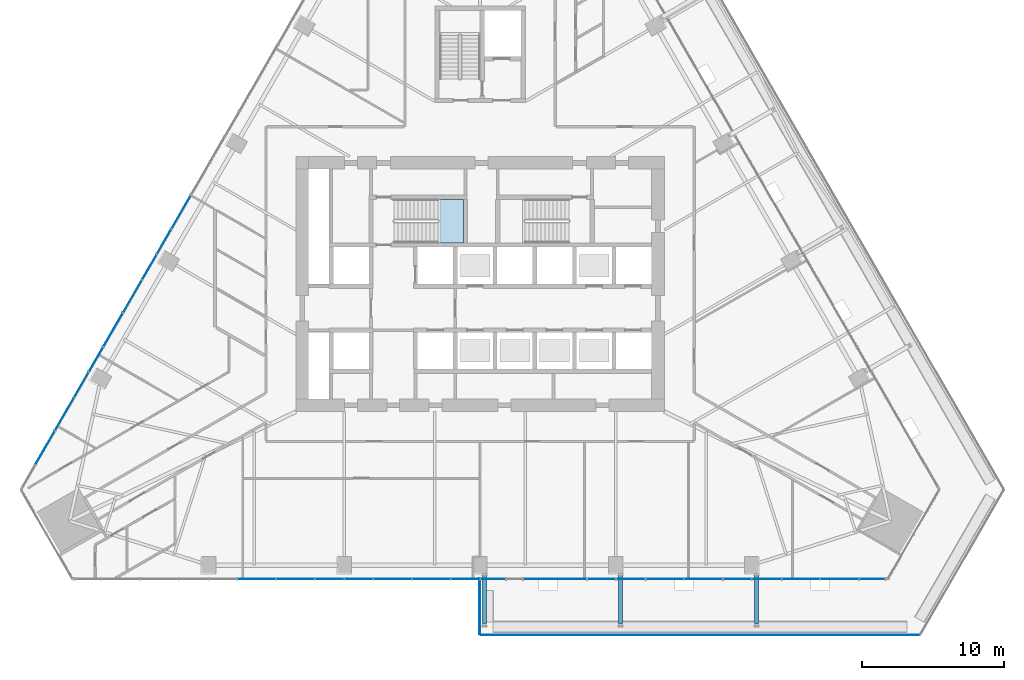
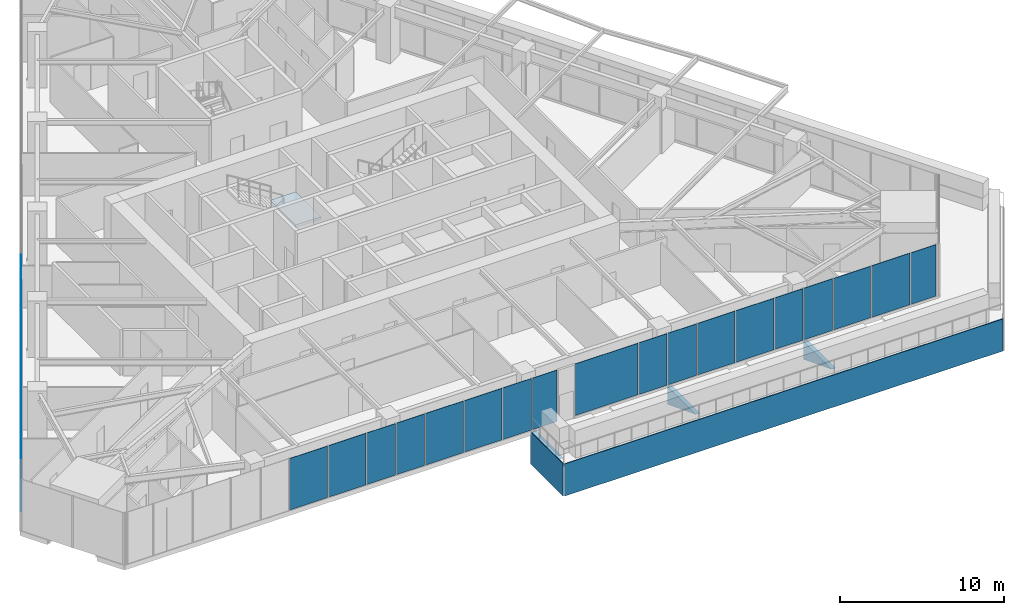
# One storey, part 14 of 29: 32 plates, 1 slab, 3 elements without a shape of their own.
"""IFC4 building model written with IfcOpenShell, lengths in metres."""

from ifc_helpers import new_model, si_unit, direction, frame, origin, place, context, subcontext, project, spatial, polyline, outline, extrude, material, layer, layer_set, type_object, element, aggregate, save


model = new_model("IFC4")

# Units and contexts
model_context = context("Model", 3, precision=1e-05, world=origin(), true_north=direction((0.0, 1.0)))
body_context = subcontext(model_context, "Body", "Model", "MODEL_VIEW")
ifc_project = project(units=[si_unit("LENGTHUNIT", "METRE"), si_unit("AREAUNIT", "SQUARE_METRE"), si_unit("VOLUMEUNIT", "CUBIC_METRE"), si_unit("PLANEANGLEUNIT", "RADIAN"), si_unit("MASSUNIT", "GRAM", prefix="KILO")], contexts=[model_context])

# Site, building, storey
site_placement = place(None, origin())
site = spatial("IfcSite", under=ifc_project, at=site_placement, CompositionType="ELEMENT")
building_placement = place(site_placement, origin())
building = spatial("IfcBuilding", under=site, at=building_placement, Name="Firuza Gate Tower and Library", CompositionType="ELEMENT")
storey_placement = place(building_placement, frame((0.0, 0.0, 48.39990234375)))
storey = spatial("IfcBuildingStorey", under=building, at=storey_placement, Name="L10", CompositionType="ELEMENT", Elevation=48.39990234375)

# Curtain wall, plates
ifc_material_1 = material(Name="Aluminium 6063-T6", Category="aluminium")
ifc_layer_1 = layer(ifc_material_1, 0.14990234375)
ifc_layer_set_1 = layer_set([ifc_layer_1], Name="Unitised curtain wall, offices")
curtain_wall_type = type_object("IfcCurtainWallType", Name="Unitised curtain wall, offices", PredefinedType="NOTDEFINED", material=ifc_layer_set_1)
placement = place(storey_placement, origin())
curtain_wall_1 = element("IfcCurtainWall", 1, at=placement, inside=storey, type_object=curtain_wall_type, Name="CW1 L10 S face", PredefinedType="NOTDEFINED")
ifc_material_2 = material(Name="Fritted glass", Category="glass")
ifc_layer_2 = layer(ifc_material_2, 0.030029296875)
ifc_layer_set_2 = layer_set([ifc_layer_2], Name="Fritted glass unit, offices")
plate_type_1 = type_object("IfcPlateType", Name="Fritted glass unit, offices", PredefinedType="CURTAIN_PANEL", material=ifc_layer_set_2)
plate_1_placement = place(storey_placement, frame((63.373779296875, 54.18212890625, 0.150146484375), z_axis=(0.0, -1.0, 0.0), x_axis=(1.0, 0.0, 0.0)))
plate_1 = element("IfcPlate", 2, at=plate_1_placement, type_object=plate_type_1, Name="Glass unit", PredefinedType="CURTAIN_PANEL", context=body_context, shape_type="SweptSolid", body=[
    extrude(outline(polyline([(0.0, 0.0), (2.004638671875, 0.0), (2.004638671875, 3.849853515625), (0.0, 3.849853515625), (0.0, 0.0)])), origin(), (0.0, 0.0, -1.0), 0.030029296875),
])
plate_2_placement = place(storey_placement, frame((65.458251953125, 54.18212890625, 0.150146484375), z_axis=(0.0, -1.0, 0.0), x_axis=(1.0, 0.0, 0.0)))
plate_2 = element("IfcPlate", 3, at=plate_2_placement, type_object=plate_type_1, Name="Glass unit", PredefinedType="CURTAIN_PANEL", context=body_context, shape_type="SweptSolid", body=[
    extrude(outline(polyline([(0.0, 0.0), (1.968017578125, 0.0), (1.968017578125, 3.849853515625), (0.0, 3.849853515625), (0.0, 0.0)])), origin(), (0.0, 0.0, -1.0), 0.030029296875),
])
plate_3_placement = place(storey_placement, frame((72.973876953125, 54.18212890625, 0.150146484375), z_axis=(0.0, -1.0, 0.0), x_axis=(1.0, 0.0, 0.0)))
plate_3 = element("IfcPlate", 4, at=plate_3_placement, type_object=plate_type_1, Name="Glass unit", PredefinedType="CURTAIN_PANEL", context=body_context, shape_type="SweptSolid", body=[
    extrude(outline(polyline([(0.0, 0.0), (1.986083984375, 0.0), (1.986083984375, 3.849853515625), (0.0, 3.849853515625), (0.0, 0.0)])), origin(), (0.0, 0.0, -1.0), 0.030029296875),
])
plate_4_placement = place(storey_placement, frame((75.0400390625, 54.18212890625, 0.150146484375), z_axis=(0.0, -1.0, 0.0), x_axis=(1.0, 0.0, 0.0)))
plate_4 = element("IfcPlate", 5, at=plate_4_placement, type_object=plate_type_1, Name="Glass unit", PredefinedType="CURTAIN_PANEL", context=body_context, shape_type="SweptSolid", body=[
    extrude(outline(polyline([(0.0, 0.0), (1.739990234375, 0.0), (1.739990234375, 3.849853515625), (0.0, 3.849853515625), (0.0, 0.0)])), origin(), (0.0, 0.0, -1.0), 0.030029296875),
])
plate_5_placement = place(storey_placement, frame((82.57373046875, 54.18212890625, 0.150146484375), z_axis=(0.0, -1.0, 0.0), x_axis=(1.0, 0.0, 0.0)))
plate_5 = element("IfcPlate", 6, at=plate_5_placement, type_object=plate_type_1, Name="Glass unit", PredefinedType="CURTAIN_PANEL", context=body_context, shape_type="SweptSolid", body=[
    extrude(outline(polyline([(0.0, 0.0), (1.968017578125, 0.0), (1.968017578125, 3.849853515625), (0.0, 3.849853515625), (0.0, 0.0)])), origin(), (0.0, 0.0, -1.0), 0.030029296875),
])
plate_6_placement = place(storey_placement, frame((84.62158203125, 54.18212890625, 0.150146484375), z_axis=(0.0, -1.0, 0.0), x_axis=(1.0, 0.0, 0.0)))
plate_6 = element("IfcPlate", 7, at=plate_6_placement, type_object=plate_type_1, Name="Glass unit", PredefinedType="CURTAIN_PANEL", context=body_context, shape_type="SweptSolid", body=[
    extrude(outline(polyline([(0.0, 0.0), (2.004638671875, 0.0), (2.004638671875, 3.849853515625), (0.0, 3.849853515625), (0.0, 0.0)])), origin(), (0.0, 0.0, -1.0), 0.030029296875),
])
plate_7_placement = place(storey_placement, frame((92.173828125, 54.18212890625, 0.150146484375), z_axis=(0.0, -1.0, 0.0), x_axis=(1.0, 0.0, 0.0)))
plate_7 = element("IfcPlate", 8, at=plate_7_placement, type_object=plate_type_1, Name="Glass unit", PredefinedType="CURTAIN_PANEL", context=body_context, shape_type="SweptSolid", body=[
    extrude(outline(polyline([(0.0, 0.0), (1.949462890625, 0.0), (1.949462890625, 3.849853515625), (0.0, 3.849853515625), (0.0, 0.0)])), origin(), (0.0, 0.0, -1.0), 0.030029296875),
])
plate_8_placement = place(storey_placement, frame((94.203369140625, 54.18212890625, 0.150146484375), z_axis=(0.0, -1.0, 0.0), x_axis=(1.0, 0.0, 0.0)))
plate_8 = element("IfcPlate", 9, at=plate_8_placement, type_object=plate_type_1, Name="Glass unit", PredefinedType="CURTAIN_PANEL", context=body_context, shape_type="SweptSolid", body=[
    extrude(outline(polyline([(0.0, 0.0), (2.022705078125, 0.0), (2.022705078125, 3.849853515625), (0.0, 3.849853515625), (0.0, 0.0)])), origin(), (0.0, 0.0, -1.0), 0.030029296875),
])
plate_9_placement = place(storey_placement, frame((101.77392578125, 54.18212890625, 0.150146484375), z_axis=(0.0, -1.0, 0.0), x_axis=(1.0, 0.0, 0.0)))
plate_9 = element("IfcPlate", 10, at=plate_9_placement, type_object=plate_type_1, Name="Glass unit", PredefinedType="CURTAIN_PANEL", context=body_context, shape_type="SweptSolid", body=[
    extrude(outline(polyline([(0.0, 0.0), (1.76318359375, 0.0), (1.76318359375, 3.849853515625), (0.0, 3.849853515625), (0.0, 0.0)])), origin(), (0.0, 0.0, -1.0), 0.030029296875),
])

curtain_wall_2 = element("IfcCurtainWall", 11, at=placement, inside=storey, type_object=curtain_wall_type, Name="CW1 L10 W face", PredefinedType="NOTDEFINED")
plate_10_placement = place(storey_placement, frame((53.184326171875, 78.849853515625, 0.150146484375), z_axis=(-0.866051307416, 0.49995513091, 0.0), x_axis=(-0.49995513091, -0.866051307416, 0.0)))
plate_10 = element("IfcPlate", 12, at=plate_10_placement, type_object=plate_type_1, Name="Glass unit", PredefinedType="CURTAIN_PANEL", context=body_context, shape_type="SweptSolid", body=[
    extrude(outline(polyline([(0.0, 0.0), (1.9679500377533197, 0.0), (1.9679500377533197, 3.849853515625), (0.0, 3.849853515625), (0.0, 0.0)])), origin(), (0.0, 0.0, -1.0), 0.030029296875),
])
plate_11_placement = place(storey_placement, frame((52.160400390625, 77.076416015625, 0.150146484375), z_axis=(-0.866053762422, 0.499950878181, 0.0), x_axis=(-0.499950878181, -0.866053762422, 0.0)))
plate_11 = element("IfcPlate", 13, at=plate_11_placement, type_object=plate_type_1, Name="Glass unit", PredefinedType="CURTAIN_PANEL", context=body_context, shape_type="SweptSolid", body=[
    extrude(outline(polyline([(0.0, 0.0), (2.0045914696091076, 0.0), (2.0045914696091076, 3.849853515625001), (0.0, 3.849853515625001), (0.0, 0.0)])), origin(), (0.0, 0.0, -1.0), 0.030029296875),
])
plate_12_placement = place(storey_placement, frame((48.38427734375, 70.535888671875, 0.150146484375), z_axis=(-0.866045854272, 0.499964577043, 0.0), x_axis=(-0.499964577043, -0.866045854272, 0.0)))
plate_12 = element("IfcPlate", 14, at=plate_12_placement, type_object=plate_type_1, Name="Glass unit", PredefinedType="CURTAIN_PANEL", context=body_context, shape_type="SweptSolid", body=[
    extrude(outline(polyline([(0.0, 0.0), (1.9493568539669226, 0.0), (1.9493568539669226, 3.849853515625), (0.0, 3.849853515625), (0.0, 0.0)])), origin(), (0.0, 0.0, -1.0), 0.030029296875),
])
plate_13_placement = place(storey_placement, frame((47.36962890625, 68.7783203125, 0.150146484375), z_axis=(-0.865998653272, 0.500046330384, 0.0), x_axis=(-0.500046330384, -0.865998653272, 0.0)))
plate_13 = element("IfcPlate", 15, at=plate_13_placement, type_object=plate_type_1, Name="Glass unit", PredefinedType="CURTAIN_PANEL", context=body_context, shape_type="SweptSolid", body=[
    extrude(outline(polyline([(0.0, 0.0), (2.0227617880883564, 0.0), (2.0227617880883564, 3.849853515625), (0.0, 3.849853515625), (0.0, 0.0)])), origin(), (0.0, 0.0, -1.0), 0.030029296875),
])

# Plate
ifc_material_3 = material(Name="Glazed ceramic tile")
ifc_layer_3 = layer(ifc_material_3, 0.030029296875)
ifc_layer_set_3 = layer_set([ifc_layer_3], Name="Opaque ceramic panel, offices")
plate_type_2 = type_object("IfcPlateType", Name="Opaque ceramic panel, offices", PredefinedType="CURTAIN_PANEL", material=ifc_layer_set_3)
plate_14_placement = place(storey_placement, frame((57.90625, 54.18212890625, 0.150146484375), z_axis=(0.0, -1.0, 0.0), x_axis=(1.0, 0.0, 0.0)))
plate_14 = element("IfcPlate", 16, at=plate_14_placement, type_object=plate_type_2, Name="Opaque ceramic panel", PredefinedType="CURTAIN_PANEL", context=body_context, shape_type="SweptSolid", body=[
    extrude(outline(polyline([(0.0, 0.0), (2.68115234375, 0.0), (2.68115234375, 3.849853515625), (0.0, 3.849853515625), (0.0, 0.0)])), origin(), (0.0, 0.0, -1.0), 0.030029296875),
])

plate_15_placement = place(storey_placement, frame((60.66748046875, 54.18212890625, 0.150146484375), z_axis=(0.0, -1.0, 0.0), x_axis=(1.0, 0.0, 0.0)))
plate_15 = element("IfcPlate", 17, at=plate_15_placement, type_object=plate_type_2, Name="Opaque ceramic panel", PredefinedType="CURTAIN_PANEL", context=body_context, shape_type="SweptSolid", body=[
    extrude(outline(polyline([(0.0, 0.0), (2.62646484375, 0.0), (2.62646484375, 3.849853515625), (0.0, 3.849853515625), (0.0, 0.0)])), origin(), (0.0, 0.0, -1.0), 0.030029296875),
])

plate_16_placement = place(storey_placement, frame((67.506103515625, 54.18212890625, 0.150146484375), z_axis=(0.0, -1.0, 0.0), x_axis=(1.0, 0.0, 0.0)))
plate_16 = element("IfcPlate", 18, at=plate_16_placement, type_object=plate_type_2, Name="Opaque ceramic panel", PredefinedType="CURTAIN_PANEL", context=body_context, shape_type="SweptSolid", body=[
    extrude(outline(polyline([(0.0, 0.0), (2.6630859375, 0.0), (2.6630859375, 3.849853515625), (0.0, 3.849853515625), (0.0, 0.0)])), origin(), (0.0, 0.0, -1.0), 0.030029296875),
])

plate_17_placement = place(storey_placement, frame((70.249267578125, 54.18212890625, 0.150146484375), z_axis=(0.0, -1.0, 0.0), x_axis=(1.0, 0.0, 0.0)))
plate_17 = element("IfcPlate", 19, at=plate_17_placement, type_object=plate_type_2, Name="Opaque ceramic panel", PredefinedType="CURTAIN_PANEL", context=body_context, shape_type="SweptSolid", body=[
    extrude(outline(polyline([(0.0, 0.0), (2.64453125, 0.0), (2.64453125, 3.849853515625), (0.0, 3.849853515625), (0.0, 0.0)])), origin(), (0.0, 0.0, -1.0), 0.030029296875),
])

plate_18_placement = place(storey_placement, frame((78.06005859375, 54.18212890625, 0.150146484375), z_axis=(0.0, -1.0, 0.0), x_axis=(1.0, 0.0, 0.0)))
plate_18 = element("IfcPlate", 20, at=plate_18_placement, type_object=plate_type_2, Name="Opaque ceramic panel", PredefinedType="CURTAIN_PANEL", context=body_context, shape_type="SweptSolid", body=[
    extrude(outline(polyline([(0.0, 0.0), (4.433837890625, 0.0), (4.433837890625, 3.849853515625), (0.0, 3.849853515625), (0.0, 0.0)])), origin(), (0.0, 0.0, -1.0), 0.030029296875),
])

plate_19_placement = place(storey_placement, frame((86.7060546875, 54.18212890625, 0.150146484375), z_axis=(0.0, -1.0, 0.0), x_axis=(1.0, 0.0, 0.0)))
plate_19 = element("IfcPlate", 21, at=plate_19_placement, type_object=plate_type_2, Name="Opaque ceramic panel", PredefinedType="CURTAIN_PANEL", context=body_context, shape_type="SweptSolid", body=[
    extrude(outline(polyline([(0.0, 0.0), (2.62646484375, 0.0), (2.62646484375, 3.849853515625), (0.0, 3.849853515625), (0.0, 0.0)])), origin(), (0.0, 0.0, -1.0), 0.030029296875),
])

plate_20_placement = place(storey_placement, frame((89.41259765625, 54.18212890625, 0.150146484375), z_axis=(0.0, -1.0, 0.0), x_axis=(1.0, 0.0, 0.0)))
plate_20 = element("IfcPlate", 22, at=plate_20_placement, type_object=plate_type_2, Name="Opaque ceramic panel", PredefinedType="CURTAIN_PANEL", context=body_context, shape_type="SweptSolid", body=[
    extrude(outline(polyline([(0.0, 0.0), (2.68115234375, 0.0), (2.68115234375, 3.849853515625), (0.0, 3.849853515625), (0.0, 0.0)])), origin(), (0.0, 0.0, -1.0), 0.030029296875),
])

plate_21_placement = place(storey_placement, frame((96.30615234375, 54.18212890625, 0.150146484375), z_axis=(0.0, -1.0, 0.0), x_axis=(1.0, 0.0, 0.0)))
plate_21 = element("IfcPlate", 23, at=plate_21_placement, type_object=plate_type_2, Name="Opaque ceramic panel", PredefinedType="CURTAIN_PANEL", context=body_context, shape_type="SweptSolid", body=[
    extrude(outline(polyline([(0.0, 0.0), (2.60791015625, 0.0), (2.60791015625, 3.849853515625), (0.0, 3.849853515625), (0.0, 0.0)])), origin(), (0.0, 0.0, -1.0), 0.030029296875),
])

plate_22_placement = place(storey_placement, frame((98.994140625, 54.18212890625, 0.150146484375), z_axis=(0.0, -1.0, 0.0), x_axis=(1.0, 0.0, 0.0)))
plate_22 = element("IfcPlate", 24, at=plate_22_placement, type_object=plate_type_2, Name="Opaque ceramic panel", PredefinedType="CURTAIN_PANEL", context=body_context, shape_type="SweptSolid", body=[
    extrude(outline(polyline([(0.0, 0.0), (2.69970703125, 0.0), (2.69970703125, 3.849853515625), (0.0, 3.849853515625), (0.0, 0.0)])), origin(), (0.0, 0.0, -1.0), 0.030029296875),
])

aggregate(curtain_wall_1, [plate_14, plate_15, plate_1, plate_2, plate_16, plate_17, plate_3, plate_4, plate_18, plate_5, plate_6, plate_19, plate_20, plate_7, plate_8, plate_21, plate_22, plate_9])

plate_23_placement = place(storey_placement, frame((54.555908203125, 81.225341796875, 0.150146484375), z_axis=(-0.86601153442, 0.500024021674, 0.0), x_axis=(-0.500024021674, -0.86601153442, 0.0)))
plate_23 = element("IfcPlate", 25, at=plate_23_placement, type_object=plate_type_2, Name="Opaque ceramic panel", PredefinedType="CURTAIN_PANEL", context=body_context, shape_type="SweptSolid", body=[
    extrude(outline(polyline([(0.0, 0.0), (2.6629580000839637, 0.0), (2.6629580000839637, 3.849853515625), (0.0, 3.849853515625), (0.0, 0.0)])), origin(), (0.0, 0.0, -1.0), 0.030029296875),
])

plate_24_placement = place(storey_placement, frame((51.1181640625, 75.27099609375, 0.150146484375), z_axis=(-0.866009105372, 0.500028228617, 0.0), x_axis=(-0.500028228617, -0.866009105372, 0.0)))
plate_24 = element("IfcPlate", 26, at=plate_24_placement, type_object=plate_type_2, Name="Opaque ceramic panel", PredefinedType="CURTAIN_PANEL", context=body_context, shape_type="SweptSolid", body=[
    extrude(outline(polyline([(0.0, 0.0), (2.62631656918229, 0.0), (2.62631656918229, 3.849853515625), (0.0, 3.849853515625), (0.0, 0.0)])), origin(), (0.0, 0.0, -1.0), 0.030029296875),
])

plate_25_placement = place(storey_placement, frame((49.764892578125, 72.92724609375, 0.150146484375), z_axis=(-0.866032438121, 0.499987815973, 0.0), x_axis=(-0.499987815973, -0.866032438121, 0.0)))
plate_25 = element("IfcPlate", 27, at=plate_25_placement, type_object=plate_type_2, Name="Opaque ceramic panel", PredefinedType="CURTAIN_PANEL", context=body_context, shape_type="SweptSolid", body=[
    extrude(outline(polyline([(0.0, 0.0), (2.6812176798048513, 0.0), (2.6812176798048513, 3.849853515625), (0.0, 3.849853515625), (0.0, 0.0)])), origin(), (0.0, 0.0, -1.0), 0.030029296875),
])

plate_26_placement = place(storey_placement, frame((46.318115234375, 66.957275390625, 0.150146484375), z_axis=(-0.866028133496, 0.499995271971, 0.0), x_axis=(-0.499995271971, -0.866028133496, 0.0)))
plate_26 = element("IfcPlate", 28, at=plate_26_placement, type_object=plate_type_2, Name="Opaque ceramic panel", PredefinedType="CURTAIN_PANEL", context=body_context, shape_type="SweptSolid", body=[
    extrude(outline(polyline([(0.0, 0.0), (2.607934817033456, 0.0), (2.607934817033456, 3.849853515625001), (0.0, 3.849853515625001), (0.0, 0.0)])), origin(), (0.0, 0.0, -1.0), 0.030029296875),
])

plate_27_placement = place(storey_placement, frame((44.97412109375, 64.62939453125, 0.150146484375), z_axis=(-0.866013897511, 0.50001992892, 0.0), x_axis=(-0.50001992892, -0.866013897511, 0.0)))
plate_27 = element("IfcPlate", 29, at=plate_27_placement, type_object=plate_type_2, Name="Opaque ceramic panel", PredefinedType="CURTAIN_PANEL", context=body_context, shape_type="SweptSolid", body=[
    extrude(outline(polyline([(0.0, 0.0), (2.699599431046774, 0.0), (2.699599431046774, 3.849853515625), (0.0, 3.849853515625), (0.0, 0.0)])), origin(), (0.0, 0.0, -1.0), 0.030029296875),
])

aggregate(curtain_wall_2, [plate_23, plate_10, plate_11, plate_24, plate_25, plate_12, plate_13, plate_26, plate_27])

# Stair, slab
ifc_material_4 = material(Name="Concrete C35/45", Category="concrete")
stair_type = type_object("IfcStairType", Name="Exit stair ST5", PredefinedType="HALF_TURN_STAIR", material=ifc_material_4)
stair = element("IfcStair", 30, at=placement, inside=storey, type_object=stair_type, Name="L10 Stair ST1", PredefinedType="HALF_TURN_STAIR")
ifc_material_5 = material(Name="Concrete C35/45", Category="concrete")
ifc_layer_4 = layer(ifc_material_5, 0.199951171875)
ifc_layer_set_4 = layer_set([ifc_layer_4], Name="Stair landing 200")
slab_type = type_object("IfcSlabType", Name="Stair landing 200", PredefinedType="LANDING", material=ifc_layer_set_4)
slab_placement = place(storey_placement, frame((0.0, 0.0, 1.900146484375)))
slab = element("IfcSlab", 31, at=slab_placement, type_object=slab_type, Name="ST1 landing 1", PredefinedType="LANDING", context=body_context, shape_type="SweptSolid", body=[
    extrude(outline(polyline([(72.02001953125, 77.89990234375), (73.81005859375, 77.89990234375), (73.81005859375, 80.97998046875), (72.02001953125, 80.97998046875), (72.02001953125, 77.89990234375)])), origin(), (0.0, 0.0, 1.0), 0.199951171875),
])
aggregate(stair, [slab])

# Plates
ifc_material_6 = material(Name="Steel S355", Category="steel")
ifc_layer_5 = layer(ifc_material_6, 0.300048828125)
ifc_layer_set_5 = layer_set([ifc_layer_5], Name="Tray bracket web 300 Steel S355")
plate_type_3 = type_object("IfcPlateType", Name="Tray bracket web 300 Steel S355", PredefinedType="SHEET", material=ifc_layer_set_5)
for number, where, z_axis, x_axis, name in (
    (32, (75.449951171875, 54.47998046875, -0.199951171875), (1.0, 0.0, 0.0), (0.0, -1.0, 0.0), "Tray bracket web L10 col:L09:S3"),
    (33, (85.050048828125, 54.47998046875, -0.199951171875), (1.0, 0.0, 0.0), (0.0, -1.0, 0.0), "Tray bracket web L10 col:L09:S4"),
    (34, (94.64990234375, 54.47998046875, -0.199951171875), (1.0, 0.0, 0.0), (0.0, -1.0, 0.0), "Tray bracket web L10 col:L09:S5"),
):
    element("IfcPlate", number, at=place(storey_placement, frame(where, z_axis=z_axis, x_axis=x_axis)), inside=storey, type_object=plate_type_3, Name=name, PredefinedType="SHEET", context=body_context, shape_type="SweptSolid", body=[
        extrude(outline(polyline([(0.0, 0.0), (3.428955078125, 0.0), (0.0, 1.333984375), (0.0, 0.0)])), origin(), (0.0, 0.0, -1.0), 0.300048828125),
    ])
ifc_material_7 = material(Name="Aluminium 6063-T6", Category="aluminium")
ifc_layer_6 = layer(ifc_material_7, 0.050048828125)
ifc_layer_set_6 = layer_set([ifc_layer_6], Name="Tray fascia panel 50")
plate_type_4 = type_object("IfcPlateType", Name="Tray fascia panel 50", PredefinedType="SHEET", material=ifc_layer_set_6)
plate_28_placement = place(storey_placement, frame((75.030029296875, 50.221923828125, -2.39990234375), z_axis=(0.0, -1.0, 0.0), x_axis=(1.0, 0.0, 0.0)))
element("IfcPlate", 35, at=plate_28_placement, inside=storey, type_object=plate_type_4, Name="Tray fascia L10 1", PredefinedType="SHEET", context=body_context, shape_type="SweptSolid", body=[
    extrude(outline(polyline([(0.0, 0.0), (30.950927734375, 0.0), (30.950927734375, 2.39990234375), (0.0, 2.39990234375), (0.0, 0.0)])), origin(), (0.0, 0.0, -1.0), 0.050048828125),
])
plate_29_placement = place(storey_placement, frame((74.949951171875, 54.241943359375, -2.39990234375), z_axis=(-1.0, 0.0, 0.0), x_axis=(0.0, -1.0, 0.0)))
element("IfcPlate", 36, at=plate_29_placement, inside=storey, type_object=plate_type_4, Name="Tray fascia L10 8", PredefinedType="SHEET", context=body_context, shape_type="SweptSolid", body=[
    extrude(outline(polyline([(0.0, 0.0), (3.93994140625, 0.0), (3.93994140625, 2.39990234375), (0.0, 2.39990234375), (0.0, 0.0)])), origin(), (0.0, 0.0, -1.0), 0.050048828125),
])

save(model, "model.ifc")
